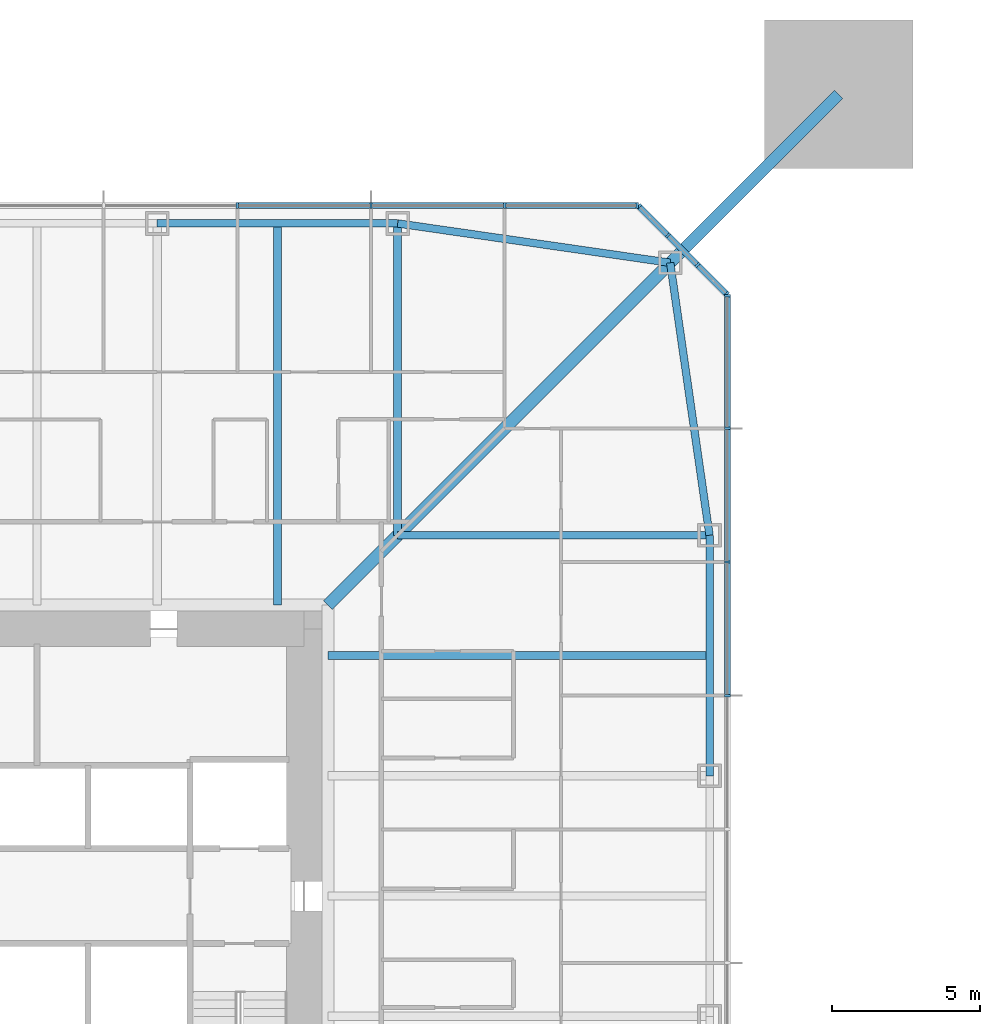
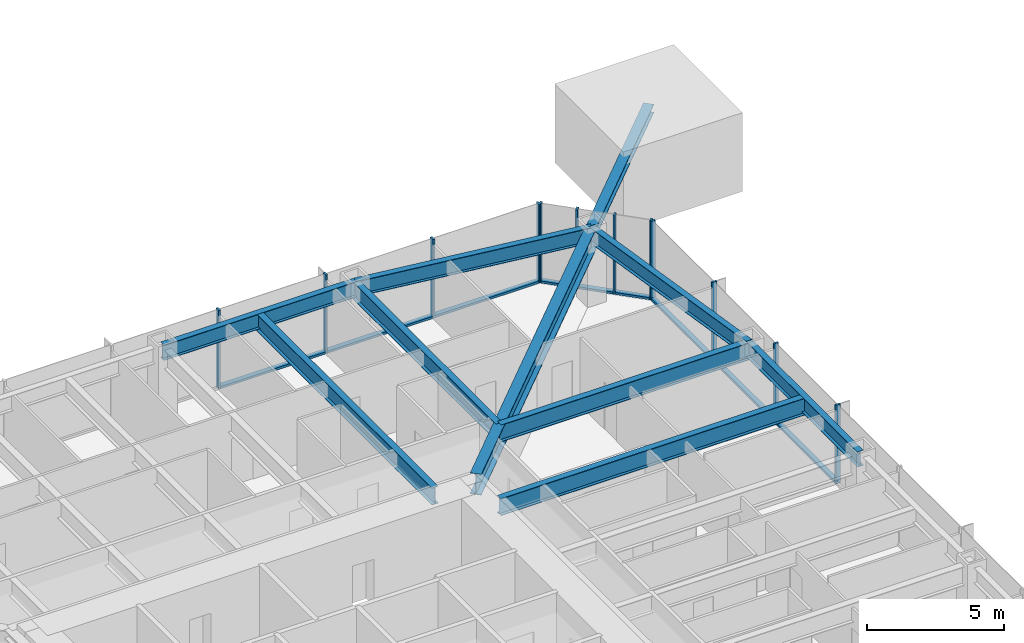
# One storey, part 7 of 26: 22 members, 9 beams, 3 elements without a shape of their own.
"""IFC4 building model written with IfcOpenShell, lengths in metres."""

from ifc_helpers import new_model, si_unit, direction, frame, origin, origin_2d, place, context, subcontext, project, spatial, rectangle, i_section, extrude, material, material_profile, profile_set, type_object, element, aggregate, save


model = new_model("IFC4")

# Units and contexts
model_context = context("Model", 3, precision=1e-05, world=origin(), true_north=direction((0.0, 1.0)))
body_context = subcontext(model_context, "Body", "Model", "MODEL_VIEW")
ifc_project = project(units=[si_unit("LENGTHUNIT", "METRE"), si_unit("AREAUNIT", "SQUARE_METRE"), si_unit("VOLUMEUNIT", "CUBIC_METRE"), si_unit("PLANEANGLEUNIT", "RADIAN"), si_unit("MASSUNIT", "GRAM", prefix="KILO")], contexts=[model_context])

# Site, building, storey
site_placement = place(None, origin())
site = spatial("IfcSite", under=ifc_project, at=site_placement, CompositionType="ELEMENT")
building_placement = place(site_placement, origin())
building = spatial("IfcBuilding", under=site, at=building_placement, Name="Iwan Alto Co-Living Towers", CompositionType="ELEMENT")
storey_placement = place(building_placement, frame((0.0, 0.0, 39.5)))
storey = spatial("IfcBuildingStorey", under=building, at=storey_placement, Name="L10", CompositionType="ELEMENT", Elevation=39.5)

# Curtain wall, members
ifc_material_1 = material(Name="Bronze aluminium unitised frame", Category="aluminium")
curtain_wall_type_1 = type_object("IfcCurtainWallType", Name="CURTAIN WALL CW-A", PredefinedType="NOTDEFINED", material=ifc_material_1)
curtain_wall_1_placement = place(storey_placement, origin())
curtain_wall_1 = element("IfcCurtainWall", 1, at=curtain_wall_1_placement, inside=storey, type_object=curtain_wall_type_1, Name="T1 curtain wall E L10", PredefinedType="NOTDEFINED")
ifc_material_2 = material(Name="Aluminium 6063-T6 bronze anodised", Category="aluminium")
ifc_material_profile_1 = material_profile(ifc_material_2, rectangle(XDim=0.199951171875, YDim=0.080078125, at=origin_2d()), Name="AL 80X200")
ifc_profile_set_1 = profile_set([ifc_material_profile_1], Name="Aluminium 6063-T6 bronze anodised")
member_type_1 = type_object("IfcMemberType", Name="CW-A MULLION 80X200", PredefinedType="MULLION", material=ifc_profile_set_1)
member_1_placement = place(storey_placement, frame((23.25, 6.75, 0.0), z_axis=(0.0, 0.0, 1.0), x_axis=(-1.0, 0.0, 0.0)))
member_1 = element("IfcMember", 2, at=member_1_placement, type_object=member_type_1, Name="CW-A mullion 7", PredefinedType="MULLION", context=body_context, shape_type="SweptSolid", body=[
    extrude(rectangle(XDim=0.199951171875, YDim=0.080078125, at=origin_2d()), origin(), (0.0, 0.0, 1.0), 3.5),
])
member_2_placement = place(storey_placement, frame((23.25, 11.25, 0.0), z_axis=(0.0, 0.0, 1.0), x_axis=(-1.0, 0.0, 0.0)))
member_2 = element("IfcMember", 3, at=member_2_placement, type_object=member_type_1, Name="CW-A mullion 8", PredefinedType="MULLION", context=body_context, shape_type="SweptSolid", body=[
    extrude(rectangle(XDim=0.199951171875, YDim=0.080078125, at=origin_2d()), origin(), (0.0, 0.0, 1.0), 3.5),
])
member_3_placement = place(storey_placement, frame((23.25, 15.75, 0.0), z_axis=(0.0, 0.0, 1.0), x_axis=(-1.0, 0.0, 0.0)))
member_3 = element("IfcMember", 4, at=member_3_placement, type_object=member_type_1, Name="CW-A mullion 9", PredefinedType="MULLION", context=body_context, shape_type="SweptSolid", body=[
    extrude(rectangle(XDim=0.199951171875, YDim=0.080078125, at=origin_2d()), origin(), (0.0, 0.0, 1.0), 3.5),
])
member_4_placement = place(storey_placement, frame((23.25, 20.2099609375, 0.0), z_axis=(0.0, 0.0, 1.0), x_axis=(-1.0, 0.0, 0.0)))
member_4 = element("IfcMember", 5, at=member_4_placement, type_object=member_type_1, Name="CW-A mullion 10", PredefinedType="MULLION", context=body_context, shape_type="SweptSolid", body=[
    extrude(rectangle(XDim=0.199951171875, YDim=0.080078125, at=origin_2d()), origin(), (0.0, 0.0, 1.0), 3.5),
])

curtain_wall_2_placement = place(storey_placement, origin())
curtain_wall_2 = element("IfcCurtainWall", 6, at=curtain_wall_2_placement, inside=storey, type_object=curtain_wall_type_1, Name="T1 curtain wall N L10", PredefinedType="NOTDEFINED")
member_5_placement = place(storey_placement, frame((20.2099609375, 23.25, 0.0), z_axis=(0.0, 0.0, 1.0), x_axis=(0.0, -1.0, 0.0)))
member_5 = element("IfcMember", 7, at=member_5_placement, type_object=member_type_1, Name="CW-A mullion 1", PredefinedType="MULLION", context=body_context, shape_type="SweptSolid", body=[
    extrude(rectangle(XDim=0.199951171875, YDim=0.080078125, at=origin_2d()), origin(), (0.0, 0.0, 1.0), 3.5),
])
member_6_placement = place(storey_placement, frame((15.75, 23.25, 0.0), z_axis=(0.0, 0.0, 1.0), x_axis=(0.0, -1.0, 0.0)))
member_6 = element("IfcMember", 8, at=member_6_placement, type_object=member_type_1, Name="CW-A mullion 2", PredefinedType="MULLION", context=body_context, shape_type="SweptSolid", body=[
    extrude(rectangle(XDim=0.199951171875, YDim=0.080078125, at=origin_2d()), origin(), (0.0, 0.0, 1.0), 3.5),
])
member_7_placement = place(storey_placement, frame((11.25, 23.25, 0.0), z_axis=(0.0, 0.0, 1.0), x_axis=(0.0, -1.0, 0.0)))
member_7 = element("IfcMember", 9, at=member_7_placement, type_object=member_type_1, Name="CW-A mullion 3", PredefinedType="MULLION", context=body_context, shape_type="SweptSolid", body=[
    extrude(rectangle(XDim=0.199951171875, YDim=0.080078125, at=origin_2d()), origin(), (0.0, 0.0, 1.0), 3.5),
])
member_8_placement = place(storey_placement, frame((6.75, 23.25, 0.0), z_axis=(0.0, 0.0, 1.0), x_axis=(0.0, -1.0, 0.0)))
member_8 = element("IfcMember", 10, at=member_8_placement, type_object=member_type_1, Name="CW-A mullion 4", PredefinedType="MULLION", context=body_context, shape_type="SweptSolid", body=[
    extrude(rectangle(XDim=0.199951171875, YDim=0.080078125, at=origin_2d()), origin(), (0.0, 0.0, 1.0), 3.5),
])

# Member
ifc_material_3 = material(Name="Aluminium 6063-T6 bronze anodised", Category="aluminium")
ifc_material_profile_2 = material_profile(ifc_material_3, rectangle(XDim=0.199951171875, YDim=0.10009765625, at=origin_2d()), Name="AL 200X100")
ifc_profile_set_2 = profile_set([ifc_material_profile_2], Name="Aluminium 6063-T6 bronze anodised")
member_type_2 = type_object("IfcMemberType", Name="CW-A TRANSOM 200X100", PredefinedType="USERDEFINED", material=ifc_profile_set_2)
member_9_placement = place(storey_placement, frame((23.25, 6.7900390625, 0.050048828125), z_axis=(0.0, 1.0, 0.0), x_axis=(-1.0, 0.0, 0.0)))
member_9 = element("IfcMember", 11, at=member_9_placement, type_object=member_type_2, Name="CW-A transom 7.1", ObjectType="TRANSOM", PredefinedType="USERDEFINED", context=body_context, shape_type="SweptSolid", body=[
    extrude(rectangle(XDim=0.199951171875, YDim=0.10009765625, at=origin_2d()), origin(), (0.0, 0.0, 1.0), 4.419921875),
])

member_10_placement = place(storey_placement, frame((23.25, 11.2900390625, 0.050048828125), z_axis=(0.0, 1.0, 0.0), x_axis=(-1.0, 0.0, 0.0)))
member_10 = element("IfcMember", 12, at=member_10_placement, type_object=member_type_2, Name="CW-A transom 8.1", ObjectType="TRANSOM", PredefinedType="USERDEFINED", context=body_context, shape_type="SweptSolid", body=[
    extrude(rectangle(XDim=0.199951171875, YDim=0.10009765625, at=origin_2d()), origin(), (0.0, 0.0, 1.0), 4.419921875),
])

member_11_placement = place(storey_placement, frame((23.25, 15.7900390625, 0.050048828125), z_axis=(0.0, 1.0, 0.0), x_axis=(-1.0, 0.0, 0.0)))
member_11 = element("IfcMember", 13, at=member_11_placement, type_object=member_type_2, Name="CW-A transom 9.1", ObjectType="TRANSOM", PredefinedType="USERDEFINED", context=body_context, shape_type="SweptSolid", body=[
    extrude(rectangle(XDim=0.199951171875, YDim=0.10009765625, at=origin_2d()), origin(), (0.0, 0.0, 1.0), 4.3798828125),
])

aggregate(curtain_wall_1, [member_1, member_2, member_3, member_4, member_9, member_10, member_11])

member_12_placement = place(storey_placement, frame((20.169921875, 23.25, 0.050048828125), z_axis=(-1.0, 0.0, 0.0), x_axis=(0.0, -1.0, 0.0)))
member_12 = element("IfcMember", 14, at=member_12_placement, type_object=member_type_2, Name="CW-A transom 1.1", ObjectType="TRANSOM", PredefinedType="USERDEFINED", context=body_context, shape_type="SweptSolid", body=[
    extrude(rectangle(XDim=0.199951171875, YDim=0.10009765625, at=origin_2d()), origin(), (0.0, 0.0, 1.0), 4.3798828125),
])

member_13_placement = place(storey_placement, frame((15.7099609375, 23.25, 0.050048828125), z_axis=(-1.0, 0.0, 0.0), x_axis=(0.0, -1.0, 0.0)))
member_13 = element("IfcMember", 15, at=member_13_placement, type_object=member_type_2, Name="CW-A transom 2.1", ObjectType="TRANSOM", PredefinedType="USERDEFINED", context=body_context, shape_type="SweptSolid", body=[
    extrude(rectangle(XDim=0.199951171875, YDim=0.10009765625, at=origin_2d()), origin(), (0.0, 0.0, 1.0), 4.419921875),
])

member_14_placement = place(storey_placement, frame((11.2099609375, 23.25, 0.050048828125), z_axis=(-1.0, 0.0, 0.0), x_axis=(0.0, -1.0, 0.0)))
member_14 = element("IfcMember", 16, at=member_14_placement, type_object=member_type_2, Name="CW-A transom 3.1", ObjectType="TRANSOM", PredefinedType="USERDEFINED", context=body_context, shape_type="SweptSolid", body=[
    extrude(rectangle(XDim=0.199951171875, YDim=0.10009765625, at=origin_2d()), origin(), (0.0, 0.0, 1.0), 4.419921875),
])

aggregate(curtain_wall_2, [member_5, member_6, member_7, member_8, member_12, member_13, member_14])

# Curtain wall, members
ifc_material_4 = material(Name="Bronze aluminium unitised frame", Category="aluminium")
curtain_wall_type_2 = type_object("IfcCurtainWallType", Name="CURTAIN WALL CW-B", PredefinedType="NOTDEFINED", material=ifc_material_4)
curtain_wall_3_placement = place(storey_placement, origin())
curtain_wall_3 = element("IfcCurtainWall", 17, at=curtain_wall_3_placement, inside=storey, type_object=curtain_wall_type_2, Name="T1 chamfer curtain wall NE L10", PredefinedType="NOTDEFINED")
ifc_material_5 = material(Name="Aluminium 6063-T6 bronze anodised", Category="aluminium")
ifc_material_profile_3 = material_profile(ifc_material_5, rectangle(XDim=0.199951171875, YDim=0.080078125, at=origin_2d()), Name="AL 80X200")
ifc_profile_set_3 = profile_set([ifc_material_profile_3], Name="Aluminium 6063-T6 bronze anodised")
member_type_3 = type_object("IfcMemberType", Name="CW-B MULLION 80X200", PredefinedType="MULLION", material=ifc_profile_set_3)
member_15_placement = place(storey_placement, frame((23.2216796875, 20.2783203125, 0.0), z_axis=(0.0, 0.0, 1.0), x_axis=(-0.707106781187, -0.707106781187, 0.0)))
member_15 = element("IfcMember", 18, at=member_15_placement, type_object=member_type_3, Name="CW-B mullion 1", PredefinedType="MULLION", context=body_context, shape_type="SweptSolid", body=[
    extrude(rectangle(XDim=0.199951171875, YDim=0.080078125, at=origin_2d()), origin(), (0.0, 0.0, 1.0), 3.5),
])
member_16_placement = place(storey_placement, frame((22.25, 21.25, 0.0), z_axis=(0.0, 0.0, 1.0), x_axis=(-0.707106781187, -0.707106781187, 0.0)))
member_16 = element("IfcMember", 19, at=member_16_placement, type_object=member_type_3, Name="CW-B mullion 2", PredefinedType="MULLION", context=body_context, shape_type="SweptSolid", body=[
    extrude(rectangle(XDim=0.199951171875, YDim=0.080078125, at=origin_2d()), origin(), (0.0, 0.0, 1.0), 3.5),
])
member_17_placement = place(storey_placement, frame((21.25, 22.25, 0.0), z_axis=(0.0, 0.0, 1.0), x_axis=(-0.707106781187, -0.707106781187, 0.0)))
member_17 = element("IfcMember", 20, at=member_17_placement, type_object=member_type_3, Name="CW-B mullion 3", PredefinedType="MULLION", context=body_context, shape_type="SweptSolid", body=[
    extrude(rectangle(XDim=0.199951171875, YDim=0.080078125, at=origin_2d()), origin(), (0.0, 0.0, 1.0), 3.5),
])
member_18_placement = place(storey_placement, frame((20.2783203125, 23.2216796875, 0.0), z_axis=(0.0, 0.0, 1.0), x_axis=(-0.707106781187, -0.707106781187, 0.0)))
member_18 = element("IfcMember", 21, at=member_18_placement, type_object=member_type_3, Name="CW-B mullion 4", PredefinedType="MULLION", context=body_context, shape_type="SweptSolid", body=[
    extrude(rectangle(XDim=0.199951171875, YDim=0.080078125, at=origin_2d()), origin(), (0.0, 0.0, 1.0), 3.5),
])
ifc_material_6 = material(Name="Aluminium 6063-T6 bronze anodised", Category="aluminium")
ifc_material_profile_4 = material_profile(ifc_material_6, rectangle(XDim=0.199951171875, YDim=0.10009765625, at=origin_2d()), Name="AL 200X100")
ifc_profile_set_4 = profile_set([ifc_material_profile_4], Name="Aluminium 6063-T6 bronze anodised")
member_type_4 = type_object("IfcMemberType", Name="CW-B TRANSOM 200X100", PredefinedType="USERDEFINED", material=ifc_profile_set_4)
member_19_placement = place(storey_placement, frame((23.193359375, 20.306640625, 0.050048828125), z_axis=(-0.707106781187, 0.707106781187, 0.0), x_axis=(-0.707106781187, -0.707106781187, 0.0)))
member_19 = element("IfcMember", 22, at=member_19_placement, type_object=member_type_4, Name="CW-B transom 1.1", ObjectType="TRANSOM", PredefinedType="USERDEFINED", context=body_context, shape_type="SweptSolid", body=[
    extrude(rectangle(XDim=0.199951171875, YDim=0.10009765625, at=origin_2d()), origin(), (0.0, 0.0, 1.0), 1.2939453125),
])
member_20_placement = place(storey_placement, frame((22.2216796875, 21.2783203125, 0.050048828125), z_axis=(-0.707106781187, 0.707106781187, 0.0), x_axis=(-0.707106781187, -0.707106781187, 0.0)))
member_20 = element("IfcMember", 23, at=member_20_placement, type_object=member_type_4, Name="CW-B transom 2.1", ObjectType="TRANSOM", PredefinedType="USERDEFINED", context=body_context, shape_type="SweptSolid", body=[
    extrude(rectangle(XDim=0.199951171875, YDim=0.10009765625, at=origin_2d()), origin(), (0.0, 0.0, 1.0), 1.334228515625),
])
member_21_placement = place(storey_placement, frame((21.2216796875, 22.2783203125, 0.050048828125), z_axis=(-0.707106781187, 0.707106781187, 0.0), x_axis=(-0.707106781187, -0.707106781187, 0.0)))
member_21 = element("IfcMember", 24, at=member_21_placement, type_object=member_type_4, Name="CW-B transom 3.1", ObjectType="TRANSOM", PredefinedType="USERDEFINED", context=body_context, shape_type="SweptSolid", body=[
    extrude(rectangle(XDim=0.199951171875, YDim=0.10009765625, at=origin_2d()), origin(), (0.0, 0.0, 1.0), 1.2939453125),
])
aggregate(curtain_wall_3, [member_15, member_16, member_17, member_18, member_19, member_20, member_21])

# Beams
ifc_material_7 = material(Name="Steel ASTM A992 Gr 50", Category="steel")
ifc_material_profile_5 = material_profile(ifc_material_7, i_section(OverallWidth=0.419189453125, OverallDepth=0.927001953125, WebThickness=0.019287109375, FlangeThickness=0.031982421875, at=origin_2d()), Name="W36X231")
ifc_profile_set_5 = profile_set([ifc_material_profile_5], Name="Steel ASTM A992 Gr 50")
beam_type_1 = type_object("IfcBeamType", Name="T1 CORNER GIRDER W36X231", PredefinedType="BEAM", material=ifc_profile_set_5)
beam_1_placement = place(storey_placement, frame((21.32568359375, 21.32568359375, 2.806396484375), z_axis=(-0.707106781187, -0.707106781187, 0.0), x_axis=(0.707106781187, -0.707106781187, 0.0)))
element("IfcBeam", 25, at=beam_1_placement, inside=storey, type_object=beam_type_1, Name="T1 corner girder CNE L11", PredefinedType="BEAM", context=body_context, shape_type="SweptSolid", body=[
    extrude(i_section(OverallWidth=0.419189453125, OverallDepth=0.927001953125, WebThickness=0.019287109375, FlangeThickness=0.031982421875, at=origin_2d()), origin(), (0.0, 0.0, 1.0), 16.296875),
])
ifc_material_8 = material(Name="Steel ASTM A992 Gr 50", Category="steel")
ifc_material_profile_6 = material_profile(ifc_material_8, i_section(OverallWidth=0.25390625, OverallDepth=0.683349609375, WebThickness=0.012451171875, FlangeThickness=0.018798828125, at=origin_2d()), Name="W27X94")
ifc_profile_set_6 = profile_set([ifc_material_profile_6], Name="Steel ASTM A992 Gr 50")
beam_type_2 = type_object("IfcBeamType", Name="T1 EDGE BEAM W27X94", PredefinedType="BEAM", material=ifc_profile_set_6)
beam_2_placement = place(storey_placement, frame((22.64990234375, 4.050048828125, 2.928466796875), z_axis=(0.0, 1.0, 0.0), x_axis=(-1.0, 0.0, 0.0)))
element("IfcBeam", 26, at=beam_2_placement, inside=storey, type_object=beam_type_2, Name="T1 edge beam E3 L11", PredefinedType="BEAM", context=body_context, shape_type="SweptSolid", body=[
    extrude(i_section(OverallWidth=0.25390625, OverallDepth=0.683349609375, WebThickness=0.012451171875, FlangeThickness=0.018798828125, at=origin_2d()), origin(), (0.0, 0.0, 1.0), 8.099853515625),
])
for number, where, z_axis, x_axis, name in (
    (27, (22.64990234375, 12.14990234375, 2.928466796875), (-0.142836940589, 0.989746234347, 0.0), (-0.989746234347, -0.142836940589, 0.0), "T1 edge beam E4 L11"),
    (28, (21.32568359375, 21.32568359375, 2.928466796875), (-0.989746234347, 0.142836940589, 0.0), (-0.142836940589, -0.989746234347, 0.0), "T1 edge beam CNE L11"),
):
    element("IfcBeam", number, at=place(storey_placement, frame(where, z_axis=z_axis, x_axis=x_axis)), inside=storey, type_object=beam_type_2, Name=name, PredefinedType="BEAM", context=body_context, shape_type="SweptSolid", body=[
        extrude(i_section(OverallWidth=0.25390625, OverallDepth=0.683349609375, WebThickness=0.012451171875, FlangeThickness=0.018798828125, at=origin_2d()), origin(), (0.0, 0.0, 1.0), 9.270751953125),
    ])
beam_3_placement = place(storey_placement, frame((12.14990234375, 22.64990234375, 2.928466796875), z_axis=(-1.0, 0.0, 0.0), x_axis=(0.0, -1.0, 0.0)))
element("IfcBeam", 29, at=beam_3_placement, inside=storey, type_object=beam_type_2, Name="T1 edge beam N1 L11", PredefinedType="BEAM", context=body_context, shape_type="SweptSolid", body=[
    extrude(i_section(OverallWidth=0.25390625, OverallDepth=0.683349609375, WebThickness=0.012451171875, FlangeThickness=0.018798828125, at=origin_2d()), origin(), (0.0, 0.0, 1.0), 8.099853515625),
])

# Member
ifc_material_9 = material(Name="Steel ASTM A992 Gr 50", Category="steel")
ifc_material_profile_7 = material_profile(ifc_material_9, i_section(OverallWidth=0.393798828125, OverallDepth=0.3759765625, WebThickness=0.017333984375, FlangeThickness=0.027587890625, at=origin_2d()), Name="W14X145")
ifc_profile_set_7 = profile_set([ifc_material_profile_7], Name="Steel ASTM A992 Gr 50")
member_type_5 = type_object("IfcMemberType", Name="T1 MEGA COLUMN FLOOR TIE W14X145", PredefinedType="STRUT", material=ifc_profile_set_7)
member_22_placement = place(storey_placement, frame((27.0, 27.0, 3.08203125), z_axis=(-0.707106781187, -0.707106781187, 0.0), x_axis=(0.707106781187, -0.707106781187, 0.0)))
element("IfcMember", 30, at=member_22_placement, inside=storey, type_object=member_type_5, Name="T1 mega column floor tie NE L11", PredefinedType="STRUT", context=body_context, shape_type="SweptSolid", body=[
    extrude(i_section(OverallWidth=0.393798828125, OverallDepth=0.3759765625, WebThickness=0.017333984375, FlangeThickness=0.027587890625, at=origin_2d()), origin(), (0.0, 0.0, 1.0), 8.024658203125),
])

# Beams
ifc_material_10 = material(Name="Steel ASTM A992 Gr 50", Category="steel")
ifc_material_profile_8 = material_profile(ifc_material_10, i_section(OverallWidth=0.2666015625, OverallDepth=0.761962890625, WebThickness=0.014404296875, FlangeThickness=0.021484375, at=origin_2d()), Name="W30X116")
ifc_profile_set_8 = profile_set([ifc_material_profile_8], Name="Steel ASTM A992 Gr 50")
beam_type_3 = type_object("IfcBeamType", Name="T1 RADIAL BEAM W30X116", PredefinedType="BEAM", material=ifc_profile_set_8)
for number, where, z_axis, x_axis, name in (
    (31, (22.64990234375, 12.14990234375, 2.888916015625), (-1.0, 0.0, 0.0), (0.0, -1.0, 0.0), "T1 radial beam E4 L11"),
    (32, (12.14990234375, 22.64990234375, 2.888916015625), (0.0, -1.0, 0.0), (1.0, 0.0, 0.0), "T1 radial beam N1 L11"),
):
    element("IfcBeam", number, at=place(storey_placement, frame(where, z_axis=z_axis, x_axis=x_axis)), inside=storey, type_object=beam_type_3, Name=name, PredefinedType="BEAM", context=body_context, shape_type="SweptSolid", body=[
        extrude(i_section(OverallWidth=0.2666015625, OverallDepth=0.761962890625, WebThickness=0.014404296875, FlangeThickness=0.021484375, at=origin_2d()), origin(), (0.0, 0.0, 1.0), 10.5),
    ])
ifc_material_11 = material(Name="Steel ASTM A992 Gr 50", Category="steel")
ifc_material_profile_9 = material_profile(ifc_material_11, i_section(OverallWidth=0.2666015625, OverallDepth=0.761962890625, WebThickness=0.014404296875, FlangeThickness=0.021484375, at=origin_2d()), Name="W30X116")
ifc_profile_set_9 = profile_set([ifc_material_profile_9], Name="Steel ASTM A992 Gr 50")
beam_type_4 = type_object("IfcBeamType", Name="T1 SECONDARY BEAM W30X116", PredefinedType="JOIST", material=ifc_profile_set_9)
for number, where, z_axis, x_axis, name in (
    (33, (22.64990234375, 8.10009765625, 2.888916015625), (-1.0, 0.0, 0.0), (0.0, -1.0, 0.0), "T1 secondary beam E3 L11"),
    (34, (8.10009765625, 22.64990234375, 2.888916015625), (0.0, -1.0, 0.0), (1.0, 0.0, 0.0), "T1 secondary beam N1 L11"),
):
    element("IfcBeam", number, at=place(storey_placement, frame(where, z_axis=z_axis, x_axis=x_axis)), inside=storey, type_object=beam_type_4, Name=name, PredefinedType="JOIST", context=body_context, shape_type="SweptSolid", body=[
        extrude(i_section(OverallWidth=0.2666015625, OverallDepth=0.761962890625, WebThickness=0.014404296875, FlangeThickness=0.021484375, at=origin_2d()), origin(), (0.0, 0.0, 1.0), 12.847900390625),
    ])

save(model, "model.ifc")
